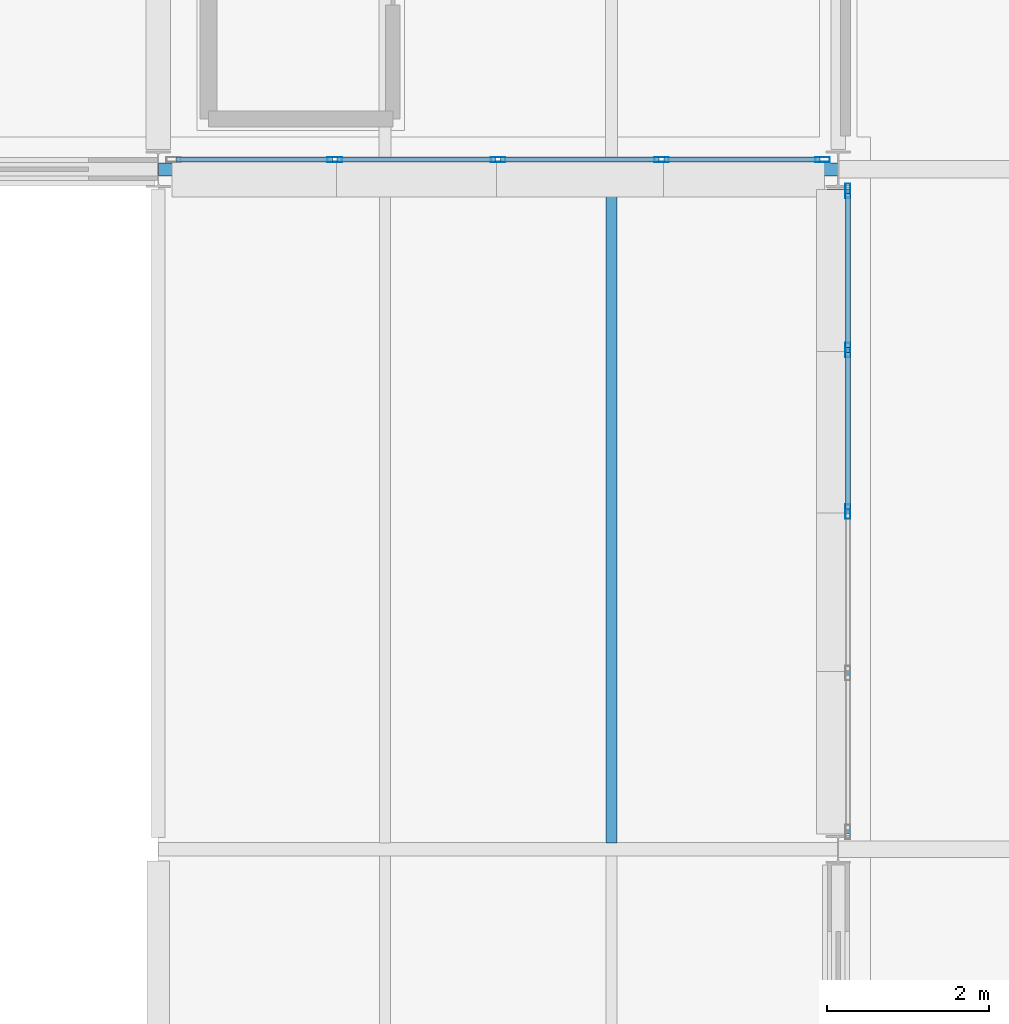
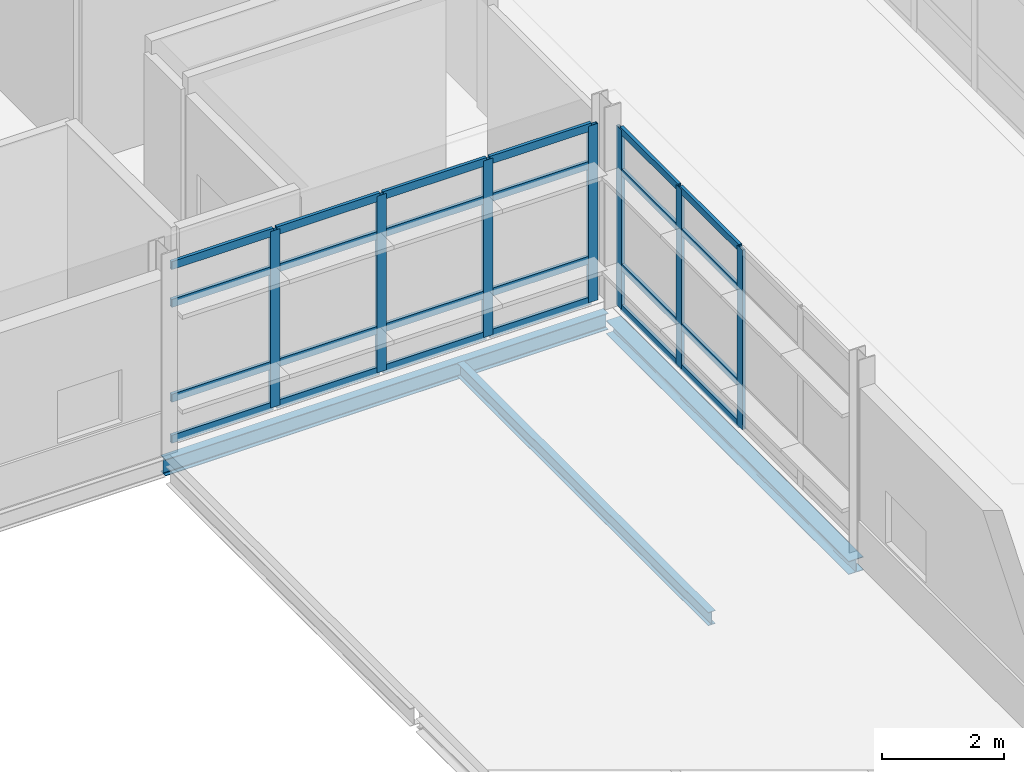
# One storey, part 68 of 103: 31 members, 3 beams, 2 elements without a shape of their own.
"""IFC4 building model written with IfcOpenShell, lengths in metres."""

from ifc_helpers import new_model, si_unit, direction, frame, origin, origin_2d, place, context, subcontext, project, spatial, hollow_rectangle, i_section, extrude, material, material_profile, profile_set, type_object, element, aggregate, save


model = new_model("IFC4")

# Units and contexts
model_context = context("Model", 3, precision=1e-05, world=origin(), true_north=direction((0.0, 1.0)))
body_context = subcontext(model_context, "Body", "Model", "MODEL_VIEW")
ifc_project = project(units=[si_unit("LENGTHUNIT", "METRE"), si_unit("AREAUNIT", "SQUARE_METRE"), si_unit("VOLUMEUNIT", "CUBIC_METRE"), si_unit("PLANEANGLEUNIT", "RADIAN"), si_unit("MASSUNIT", "GRAM", prefix="KILO")], contexts=[model_context])

# Site, building, storey
site_placement = place(None, origin())
site = spatial("IfcSite", under=ifc_project, at=site_placement, CompositionType="ELEMENT")
building_placement = place(site_placement, origin())
building = spatial("IfcBuilding", under=site, at=building_placement, Name="Mersafa Astral City Hall", CompositionType="ELEMENT")
storey_placement = place(building_placement, frame((0.0, 0.0, 18.0)))
storey = spatial("IfcBuildingStorey", under=building, at=storey_placement, Name="L04", CompositionType="ELEMENT", Elevation=18.0)

# Curtain wall, members
ifc_material_1 = material(Name="Anodised bronze aluminium framing", Category="aluminium")
curtain_wall_type_1 = type_object("IfcCurtainWallType", Name="ENV-CW-1", PredefinedType="USERDEFINED", material=ifc_material_1)
curtain_wall_1_placement = place(storey_placement, origin())
curtain_wall_1 = element("IfcCurtainWall", 1, at=curtain_wall_1_placement, inside=storey, type_object=curtain_wall_type_1, Name="L04 Unitised solar curtain wall 222", ObjectType="UNITISED CURTAIN WALL", PredefinedType="USERDEFINED")
ifc_material_profile_1 = material_profile(ifc_material_1, hollow_rectangle(XDim=0.06005859375, YDim=0.179931640625, WallThickness=0.00390625, at=origin_2d()), Name="RHS 60x180x4")
ifc_profile_set_1 = profile_set([ifc_material_profile_1], Name="Anodised bronze aluminium framing")
member_type_1 = type_object("IfcMemberType", Name="ENV-CW-MUL-1", PredefinedType="MULLION", material=ifc_profile_set_1)
member_1_placement = place(storey_placement, frame((161.781005859375, 100.919921875, -0.001953125), z_axis=(0.0, 0.0, 1.0), x_axis=(0.0, 1.0, 0.0)))
member_1 = element("IfcMember", 2, at=member_1_placement, type_object=member_type_1, Name="CW-1 mullion 2", PredefinedType="MULLION", context=body_context, shape_type="SweptSolid", body=[
    extrude(hollow_rectangle(XDim=0.06005859375, YDim=0.179931640625, WallThickness=0.00390625, at=origin_2d()), origin(), (0.0, 0.0, 1.0), 3.5390625),
])
member_2_placement = place(storey_placement, frame((163.800048828125, 100.919921875, -0.001953125), z_axis=(0.0, 0.0, 1.0), x_axis=(0.0, 1.0, 0.0)))
member_2 = element("IfcMember", 3, at=member_2_placement, type_object=member_type_1, Name="CW-1 mullion 3", PredefinedType="MULLION", context=body_context, shape_type="SweptSolid", body=[
    extrude(hollow_rectangle(XDim=0.06005859375, YDim=0.179931640625, WallThickness=0.00390625, at=origin_2d()), origin(), (0.0, 0.0, 1.0), 3.5390625),
])
member_3_placement = place(storey_placement, frame((165.819091796875, 100.919921875, -0.001953125), z_axis=(0.0, 0.0, 1.0), x_axis=(0.0, 1.0, 0.0)))
member_3 = element("IfcMember", 4, at=member_3_placement, type_object=member_type_1, Name="CW-1 mullion 4", PredefinedType="MULLION", context=body_context, shape_type="SweptSolid", body=[
    extrude(hollow_rectangle(XDim=0.06005859375, YDim=0.179931640625, WallThickness=0.00390625, at=origin_2d()), origin(), (0.0, 0.0, 1.0), 3.5390625),
])
member_4_placement = place(storey_placement, frame((167.80810546875, 100.919921875, -0.001953125), z_axis=(0.0, 0.0, 1.0), x_axis=(0.0, 1.0, 0.0)))
member_4 = element("IfcMember", 5, at=member_4_placement, type_object=member_type_1, Name="CW-1 mullion 5", PredefinedType="MULLION", context=body_context, shape_type="SweptSolid", body=[
    extrude(hollow_rectangle(XDim=0.06005859375, YDim=0.179931640625, WallThickness=0.00390625, at=origin_2d()), origin(), (0.0, 0.0, 1.0), 3.5390625),
])

curtain_wall_type_2 = type_object("IfcCurtainWallType", Name="ENV-CW-2", PredefinedType="USERDEFINED", material=ifc_material_1)
curtain_wall_2_placement = place(storey_placement, origin())
curtain_wall_2 = element("IfcCurtainWall", 6, at=curtain_wall_2_placement, inside=storey, type_object=curtain_wall_type_2, Name="L04 Unitised solar curtain wall 223", ObjectType="UNITISED CURTAIN WALL", PredefinedType="USERDEFINED")
member_5_placement = place(storey_placement, frame((168.1201171875, 100.532958984375, -0.001953125), z_axis=(0.0, 0.0, 1.0), x_axis=(1.0, 0.0, 0.0)))
member_5 = element("IfcMember", 7, at=member_5_placement, type_object=member_type_1, Name="CW-2 mullion 1", PredefinedType="MULLION", context=body_context, shape_type="SweptSolid", body=[
    extrude(hollow_rectangle(XDim=0.06005859375, YDim=0.179931640625, WallThickness=0.00390625, at=origin_2d()), origin(), (0.0, 0.0, 1.0), 3.598876953125),
])
member_6_placement = place(storey_placement, frame((168.1201171875, 98.56787109375, -0.001953125), z_axis=(0.0, 0.0, 1.0), x_axis=(1.0, 0.0, 0.0)))
member_6 = element("IfcMember", 8, at=member_6_placement, type_object=member_type_1, Name="CW-2 mullion 2", PredefinedType="MULLION", context=body_context, shape_type="SweptSolid", body=[
    extrude(hollow_rectangle(XDim=0.06005859375, YDim=0.179931640625, WallThickness=0.00390625, at=origin_2d()), origin(), (0.0, 0.0, 1.0), 3.598876953125),
])
member_7_placement = place(storey_placement, frame((168.1201171875, 96.572509765625, -0.001953125), z_axis=(0.0, 0.0, 1.0), x_axis=(1.0, 0.0, 0.0)))
member_7 = element("IfcMember", 9, at=member_7_placement, type_object=member_type_1, Name="CW-2 mullion 3", PredefinedType="MULLION", context=body_context, shape_type="SweptSolid", body=[
    extrude(hollow_rectangle(XDim=0.06005859375, YDim=0.179931640625, WallThickness=0.00390625, at=origin_2d()), origin(), (0.0, 0.0, 1.0), 3.598876953125),
])
ifc_material_profile_2 = material_profile(ifc_material_1, hollow_rectangle(XDim=0.06005859375, YDim=0.139892578125, WallThickness=0.00390625, at=origin_2d()), Name="RHS 60x140x4")
ifc_profile_set_2 = profile_set([ifc_material_profile_2], Name="Anodised bronze aluminium framing")
member_type_2 = type_object("IfcMemberType", Name="ENV-CW-TRN-1", PredefinedType="USERDEFINED", material=ifc_profile_set_2)
member_8_placement = place(storey_placement, frame((168.1201171875, 100.5029296875, 0.028076171875), z_axis=(0.0, -1.0, 0.0), x_axis=(1.0, 0.0, 0.0)))
member_8 = element("IfcMember", 10, at=member_8_placement, type_object=member_type_2, Name="CW-2 transom 1.1", ObjectType="TRANSOM", PredefinedType="USERDEFINED", context=body_context, shape_type="SweptSolid", body=[
    extrude(hollow_rectangle(XDim=0.06005859375, YDim=0.139892578125, WallThickness=0.00390625, at=origin_2d()), origin(), (0.0, 0.0, 1.0), 1.9052734375),
])
member_9_placement = place(storey_placement, frame((168.1201171875, 100.5029296875, 0.85009765625), z_axis=(0.0, -1.0, 0.0), x_axis=(1.0, 0.0, 0.0)))
member_9 = element("IfcMember", 11, at=member_9_placement, type_object=member_type_2, Name="CW-2 transom 1.2", ObjectType="TRANSOM", PredefinedType="USERDEFINED", context=body_context, shape_type="SweptSolid", body=[
    extrude(hollow_rectangle(XDim=0.06005859375, YDim=0.139892578125, WallThickness=0.00390625, at=origin_2d()), origin(), (0.0, 0.0, 1.0), 1.9052734375),
])
member_10_placement = place(storey_placement, frame((168.1201171875, 100.5029296875, 2.75), z_axis=(0.0, -1.0, 0.0), x_axis=(1.0, 0.0, 0.0)))
member_10 = element("IfcMember", 12, at=member_10_placement, type_object=member_type_2, Name="CW-2 transom 1.3", ObjectType="TRANSOM", PredefinedType="USERDEFINED", context=body_context, shape_type="SweptSolid", body=[
    extrude(hollow_rectangle(XDim=0.06005859375, YDim=0.139892578125, WallThickness=0.00390625, at=origin_2d()), origin(), (0.0, 0.0, 1.0), 1.9052734375),
])
member_11_placement = place(storey_placement, frame((168.1201171875, 100.5029296875, 3.56689453125), z_axis=(0.0, -1.0, 0.0), x_axis=(1.0, 0.0, 0.0)))
member_11 = element("IfcMember", 13, at=member_11_placement, type_object=member_type_2, Name="CW-2 transom 1.4", ObjectType="TRANSOM", PredefinedType="USERDEFINED", context=body_context, shape_type="SweptSolid", body=[
    extrude(hollow_rectangle(XDim=0.06005859375, YDim=0.139892578125, WallThickness=0.00390625, at=origin_2d()), origin(), (0.0, 0.0, 1.0), 1.9052734375),
])
member_12_placement = place(storey_placement, frame((168.1201171875, 98.537841796875, 0.028076171875), z_axis=(0.0, -1.0, 0.0), x_axis=(1.0, 0.0, 0.0)))
member_12 = element("IfcMember", 14, at=member_12_placement, type_object=member_type_2, Name="CW-2 transom 2.1", ObjectType="TRANSOM", PredefinedType="USERDEFINED", context=body_context, shape_type="SweptSolid", body=[
    extrude(hollow_rectangle(XDim=0.06005859375, YDim=0.139892578125, WallThickness=0.00390625, at=origin_2d()), origin(), (0.0, 0.0, 1.0), 1.935302734375),
])
member_13_placement = place(storey_placement, frame((168.1201171875, 98.537841796875, 0.85009765625), z_axis=(0.0, -1.0, 0.0), x_axis=(1.0, 0.0, 0.0)))
member_13 = element("IfcMember", 15, at=member_13_placement, type_object=member_type_2, Name="CW-2 transom 2.2", ObjectType="TRANSOM", PredefinedType="USERDEFINED", context=body_context, shape_type="SweptSolid", body=[
    extrude(hollow_rectangle(XDim=0.06005859375, YDim=0.139892578125, WallThickness=0.00390625, at=origin_2d()), origin(), (0.0, 0.0, 1.0), 1.935302734375),
])
member_14_placement = place(storey_placement, frame((168.1201171875, 98.537841796875, 2.75), z_axis=(0.0, -1.0, 0.0), x_axis=(1.0, 0.0, 0.0)))
member_14 = element("IfcMember", 16, at=member_14_placement, type_object=member_type_2, Name="CW-2 transom 2.3", ObjectType="TRANSOM", PredefinedType="USERDEFINED", context=body_context, shape_type="SweptSolid", body=[
    extrude(hollow_rectangle(XDim=0.06005859375, YDim=0.139892578125, WallThickness=0.00390625, at=origin_2d()), origin(), (0.0, 0.0, 1.0), 1.935302734375),
])
member_15_placement = place(storey_placement, frame((168.1201171875, 98.537841796875, 3.56689453125), z_axis=(0.0, -1.0, 0.0), x_axis=(1.0, 0.0, 0.0)))
member_15 = element("IfcMember", 17, at=member_15_placement, type_object=member_type_2, Name="CW-2 transom 2.4", ObjectType="TRANSOM", PredefinedType="USERDEFINED", context=body_context, shape_type="SweptSolid", body=[
    extrude(hollow_rectangle(XDim=0.06005859375, YDim=0.139892578125, WallThickness=0.00390625, at=origin_2d()), origin(), (0.0, 0.0, 1.0), 1.935302734375),
])
aggregate(curtain_wall_2, [member_5, member_6, member_7, member_8, member_9, member_10, member_11, member_12, member_13, member_14, member_15])

# Member
ifc_material_profile_3 = material_profile(ifc_material_1, hollow_rectangle(XDim=0.06005859375, YDim=0.159912109375, WallThickness=0.00390625, at=origin_2d()), Name="RHS 60x160x4")
ifc_profile_set_3 = profile_set([ifc_material_profile_3], Name="Anodised bronze aluminium framing")
member_type_3 = type_object("IfcMemberType", Name="ENV-CW-TRN-2", PredefinedType="USERDEFINED", material=ifc_profile_set_3)
member_16_placement = place(storey_placement, frame((159.822021484375, 100.919921875, 0.028076171875), z_axis=(1.0, 0.0, 0.0), x_axis=(0.0, 1.0, 0.0)))
member_16 = element("IfcMember", 18, at=member_16_placement, type_object=member_type_3, Name="CW-1 transom 1.1", ObjectType="TRANSOM", PredefinedType="USERDEFINED", context=body_context, shape_type="SweptSolid", body=[
    extrude(hollow_rectangle(XDim=0.06005859375, YDim=0.159912109375, WallThickness=0.00390625, at=origin_2d()), origin(), (0.0, 0.0, 1.0), 1.928955078125),
])

member_17_placement = place(storey_placement, frame((159.822021484375, 100.919921875, 0.85009765625), z_axis=(1.0, 0.0, 0.0), x_axis=(0.0, 1.0, 0.0)))
member_17 = element("IfcMember", 19, at=member_17_placement, type_object=member_type_3, Name="CW-1 transom 1.2", ObjectType="TRANSOM", PredefinedType="USERDEFINED", context=body_context, shape_type="SweptSolid", body=[
    extrude(hollow_rectangle(XDim=0.06005859375, YDim=0.159912109375, WallThickness=0.00390625, at=origin_2d()), origin(), (0.0, 0.0, 1.0), 1.928955078125),
])

member_18_placement = place(storey_placement, frame((159.822021484375, 100.919921875, 2.75), z_axis=(1.0, 0.0, 0.0), x_axis=(0.0, 1.0, 0.0)))
member_18 = element("IfcMember", 20, at=member_18_placement, type_object=member_type_3, Name="CW-1 transom 1.3", ObjectType="TRANSOM", PredefinedType="USERDEFINED", context=body_context, shape_type="SweptSolid", body=[
    extrude(hollow_rectangle(XDim=0.06005859375, YDim=0.159912109375, WallThickness=0.00390625, at=origin_2d()), origin(), (0.0, 0.0, 1.0), 1.928955078125),
])

member_19_placement = place(storey_placement, frame((159.822021484375, 100.919921875, 3.507080078125), z_axis=(1.0, 0.0, 0.0), x_axis=(0.0, 1.0, 0.0)))
member_19 = element("IfcMember", 21, at=member_19_placement, type_object=member_type_3, Name="CW-1 transom 1.4", ObjectType="TRANSOM", PredefinedType="USERDEFINED", context=body_context, shape_type="SweptSolid", body=[
    extrude(hollow_rectangle(XDim=0.06005859375, YDim=0.159912109375, WallThickness=0.00390625, at=origin_2d()), origin(), (0.0, 0.0, 1.0), 1.928955078125),
])

member_20_placement = place(storey_placement, frame((161.81103515625, 100.919921875, 0.028076171875), z_axis=(1.0, 0.0, 0.0), x_axis=(0.0, 1.0, 0.0)))
member_20 = element("IfcMember", 22, at=member_20_placement, type_object=member_type_3, Name="CW-1 transom 2.1", ObjectType="TRANSOM", PredefinedType="USERDEFINED", context=body_context, shape_type="SweptSolid", body=[
    extrude(hollow_rectangle(XDim=0.06005859375, YDim=0.159912109375, WallThickness=0.00390625, at=origin_2d()), origin(), (0.0, 0.0, 1.0), 1.958984375),
])

member_21_placement = place(storey_placement, frame((161.81103515625, 100.919921875, 0.85009765625), z_axis=(1.0, 0.0, 0.0), x_axis=(0.0, 1.0, 0.0)))
member_21 = element("IfcMember", 23, at=member_21_placement, type_object=member_type_3, Name="CW-1 transom 2.2", ObjectType="TRANSOM", PredefinedType="USERDEFINED", context=body_context, shape_type="SweptSolid", body=[
    extrude(hollow_rectangle(XDim=0.06005859375, YDim=0.159912109375, WallThickness=0.00390625, at=origin_2d()), origin(), (0.0, 0.0, 1.0), 1.958984375),
])

member_22_placement = place(storey_placement, frame((161.81103515625, 100.919921875, 2.75), z_axis=(1.0, 0.0, 0.0), x_axis=(0.0, 1.0, 0.0)))
member_22 = element("IfcMember", 24, at=member_22_placement, type_object=member_type_3, Name="CW-1 transom 2.3", ObjectType="TRANSOM", PredefinedType="USERDEFINED", context=body_context, shape_type="SweptSolid", body=[
    extrude(hollow_rectangle(XDim=0.06005859375, YDim=0.159912109375, WallThickness=0.00390625, at=origin_2d()), origin(), (0.0, 0.0, 1.0), 1.958984375),
])

member_23_placement = place(storey_placement, frame((161.81103515625, 100.919921875, 3.507080078125), z_axis=(1.0, 0.0, 0.0), x_axis=(0.0, 1.0, 0.0)))
member_23 = element("IfcMember", 25, at=member_23_placement, type_object=member_type_3, Name="CW-1 transom 2.4", ObjectType="TRANSOM", PredefinedType="USERDEFINED", context=body_context, shape_type="SweptSolid", body=[
    extrude(hollow_rectangle(XDim=0.06005859375, YDim=0.159912109375, WallThickness=0.00390625, at=origin_2d()), origin(), (0.0, 0.0, 1.0), 1.958984375),
])

member_24_placement = place(storey_placement, frame((163.830078125, 100.919921875, 0.028076171875), z_axis=(1.0, 0.0, 0.0), x_axis=(0.0, 1.0, 0.0)))
member_24 = element("IfcMember", 26, at=member_24_placement, type_object=member_type_3, Name="CW-1 transom 3.1", ObjectType="TRANSOM", PredefinedType="USERDEFINED", context=body_context, shape_type="SweptSolid", body=[
    extrude(hollow_rectangle(XDim=0.06005859375, YDim=0.159912109375, WallThickness=0.00390625, at=origin_2d()), origin(), (0.0, 0.0, 1.0), 1.958984375),
])

member_25_placement = place(storey_placement, frame((163.830078125, 100.919921875, 0.85009765625), z_axis=(1.0, 0.0, 0.0), x_axis=(0.0, 1.0, 0.0)))
member_25 = element("IfcMember", 27, at=member_25_placement, type_object=member_type_3, Name="CW-1 transom 3.2", ObjectType="TRANSOM", PredefinedType="USERDEFINED", context=body_context, shape_type="SweptSolid", body=[
    extrude(hollow_rectangle(XDim=0.06005859375, YDim=0.159912109375, WallThickness=0.00390625, at=origin_2d()), origin(), (0.0, 0.0, 1.0), 1.958984375),
])

member_26_placement = place(storey_placement, frame((163.830078125, 100.919921875, 2.75), z_axis=(1.0, 0.0, 0.0), x_axis=(0.0, 1.0, 0.0)))
member_26 = element("IfcMember", 28, at=member_26_placement, type_object=member_type_3, Name="CW-1 transom 3.3", ObjectType="TRANSOM", PredefinedType="USERDEFINED", context=body_context, shape_type="SweptSolid", body=[
    extrude(hollow_rectangle(XDim=0.06005859375, YDim=0.159912109375, WallThickness=0.00390625, at=origin_2d()), origin(), (0.0, 0.0, 1.0), 1.958984375),
])

member_27_placement = place(storey_placement, frame((163.830078125, 100.919921875, 3.507080078125), z_axis=(1.0, 0.0, 0.0), x_axis=(0.0, 1.0, 0.0)))
member_27 = element("IfcMember", 29, at=member_27_placement, type_object=member_type_3, Name="CW-1 transom 3.4", ObjectType="TRANSOM", PredefinedType="USERDEFINED", context=body_context, shape_type="SweptSolid", body=[
    extrude(hollow_rectangle(XDim=0.06005859375, YDim=0.159912109375, WallThickness=0.00390625, at=origin_2d()), origin(), (0.0, 0.0, 1.0), 1.958984375),
])

member_28_placement = place(storey_placement, frame((165.84912109375, 100.919921875, 0.028076171875), z_axis=(1.0, 0.0, 0.0), x_axis=(0.0, 1.0, 0.0)))
member_28 = element("IfcMember", 30, at=member_28_placement, type_object=member_type_3, Name="CW-1 transom 4.1", ObjectType="TRANSOM", PredefinedType="USERDEFINED", context=body_context, shape_type="SweptSolid", body=[
    extrude(hollow_rectangle(XDim=0.06005859375, YDim=0.159912109375, WallThickness=0.00390625, at=origin_2d()), origin(), (0.0, 0.0, 1.0), 1.928955078125),
])

member_29_placement = place(storey_placement, frame((165.84912109375, 100.919921875, 0.85009765625), z_axis=(1.0, 0.0, 0.0), x_axis=(0.0, 1.0, 0.0)))
member_29 = element("IfcMember", 31, at=member_29_placement, type_object=member_type_3, Name="CW-1 transom 4.2", ObjectType="TRANSOM", PredefinedType="USERDEFINED", context=body_context, shape_type="SweptSolid", body=[
    extrude(hollow_rectangle(XDim=0.06005859375, YDim=0.159912109375, WallThickness=0.00390625, at=origin_2d()), origin(), (0.0, 0.0, 1.0), 1.928955078125),
])

member_30_placement = place(storey_placement, frame((165.84912109375, 100.919921875, 2.75), z_axis=(1.0, 0.0, 0.0), x_axis=(0.0, 1.0, 0.0)))
member_30 = element("IfcMember", 32, at=member_30_placement, type_object=member_type_3, Name="CW-1 transom 4.3", ObjectType="TRANSOM", PredefinedType="USERDEFINED", context=body_context, shape_type="SweptSolid", body=[
    extrude(hollow_rectangle(XDim=0.06005859375, YDim=0.159912109375, WallThickness=0.00390625, at=origin_2d()), origin(), (0.0, 0.0, 1.0), 1.928955078125),
])

member_31_placement = place(storey_placement, frame((165.84912109375, 100.919921875, 3.507080078125), z_axis=(1.0, 0.0, 0.0), x_axis=(0.0, 1.0, 0.0)))
member_31 = element("IfcMember", 33, at=member_31_placement, type_object=member_type_3, Name="CW-1 transom 4.4", ObjectType="TRANSOM", PredefinedType="USERDEFINED", context=body_context, shape_type="SweptSolid", body=[
    extrude(hollow_rectangle(XDim=0.06005859375, YDim=0.159912109375, WallThickness=0.00390625, at=origin_2d()), origin(), (0.0, 0.0, 1.0), 1.928955078125),
])

aggregate(curtain_wall_1, [member_1, member_2, member_3, member_4, member_16, member_17, member_18, member_19, member_20, member_21, member_22, member_23, member_24, member_25, member_26, member_27, member_28, member_29, member_30, member_31])

# Beams
ifc_material_2 = material(Name="Steel S355", Category="steel")
ifc_material_profile_4 = material_profile(ifc_material_2, i_section(OverallWidth=0.135009765625, OverallDepth=0.27001953125, WebThickness=0.006591796875, FlangeThickness=0.01025390625, FilletRadius=0.014892578125, at=origin_2d()), Name="IPE 270")
ifc_profile_set_4 = profile_set([ifc_material_profile_4], Name="Steel S355")
beam_type_1 = type_object("IfcBeamType", Name="STR-BM-JOIST-IPE270", PredefinedType="JOIST", material=ifc_profile_set_4)
beam_1_placement = place(storey_placement, frame((165.199951171875, 92.47998046875, -0.3349609375), z_axis=(0.0, 1.0, 0.0), x_axis=(-1.0, 0.0, 0.0)))
element("IfcBeam", 34, at=beam_1_placement, inside=storey, type_object=beam_type_1, Name="L04 Flat roof secondary joist 18", PredefinedType="JOIST", context=body_context, shape_type="SweptSolid", body=[
    extrude(i_section(OverallWidth=0.135009765625, OverallDepth=0.27001953125, WebThickness=0.006591796875, FlangeThickness=0.01025390625, FilletRadius=0.014892578125, at=origin_2d()), origin(), (0.0, 0.0, 1.0), 8.2451171875),
])
ifc_material_profile_5 = material_profile(ifc_material_2, i_section(OverallWidth=0.280029296875, OverallDepth=0.27001953125, WebThickness=0.008056640625, FlangeThickness=0.012939453125, FilletRadius=0.02392578125, at=origin_2d()), Name="HEA 280")
ifc_profile_set_5 = profile_set([ifc_material_profile_5], Name="Steel S355")
beam_type_2 = type_object("IfcBeamType", Name="STR-BM-SPANDREL-HEA280", PredefinedType="SPANDREL", material=ifc_profile_set_5)
beam_2_placement = place(storey_placement, frame((168.0, 92.594970703125, -0.3349609375), z_axis=(0.0, 1.0, 0.0), x_axis=(-1.0, 0.0, 0.0)))
element("IfcBeam", 35, at=beam_2_placement, inside=storey, type_object=beam_type_2, Name="L04 Primary girder Y 20-11", PredefinedType="SPANDREL", context=body_context, shape_type="SweptSolid", body=[
    extrude(i_section(OverallWidth=0.280029296875, OverallDepth=0.27001953125, WebThickness=0.008056640625, FlangeThickness=0.012939453125, FilletRadius=0.02392578125, at=origin_2d()), origin(), (0.0, 0.0, 1.0), 7.9599609375),
])
ifc_material_profile_6 = material_profile(ifc_material_2, i_section(OverallWidth=0.159912109375, OverallDepth=0.330078125, WebThickness=0.007568359375, FlangeThickness=0.011474609375, FilletRadius=0.01806640625, at=origin_2d()), Name="IPE 330")
ifc_profile_set_6 = profile_set([ifc_material_profile_6], Name="Steel S355")
beam_type_3 = type_object("IfcBeamType", Name="STR-BM-SPANDREL-IPE330", PredefinedType="SPANDREL", material=ifc_profile_set_6)
beam_3_placement = place(storey_placement, frame((159.60302734375, 100.800048828125, -0.364990234375), z_axis=(1.0, 0.0, 0.0), x_axis=(0.0, 1.0, 0.0)))
element("IfcBeam", 36, at=beam_3_placement, inside=storey, type_object=beam_type_3, Name="L04 Primary girder X 19-12", PredefinedType="SPANDREL", context=body_context, shape_type="SweptSolid", body=[
    extrude(i_section(OverallWidth=0.159912109375, OverallDepth=0.330078125, WebThickness=0.007568359375, FlangeThickness=0.011474609375, FilletRadius=0.01806640625, at=origin_2d()), origin(), (0.0, 0.0, 1.0), 8.39404296875),
])

save(model, "model.ifc")
